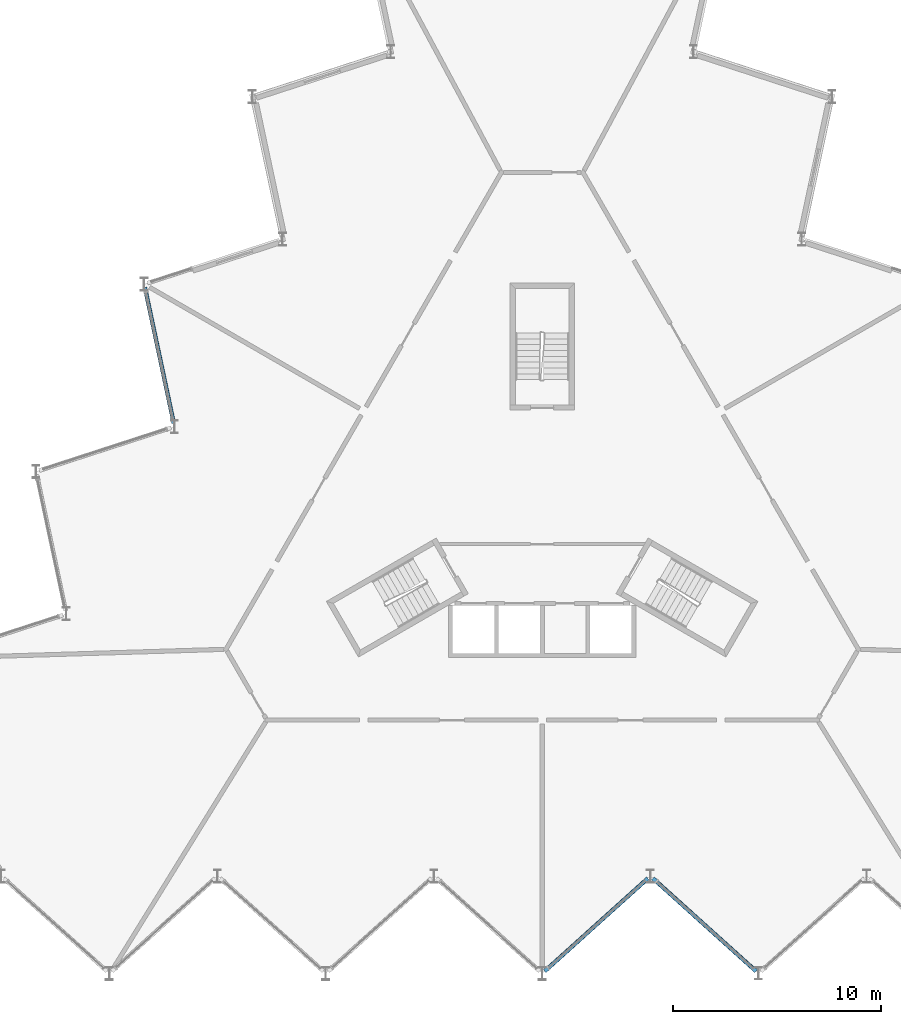
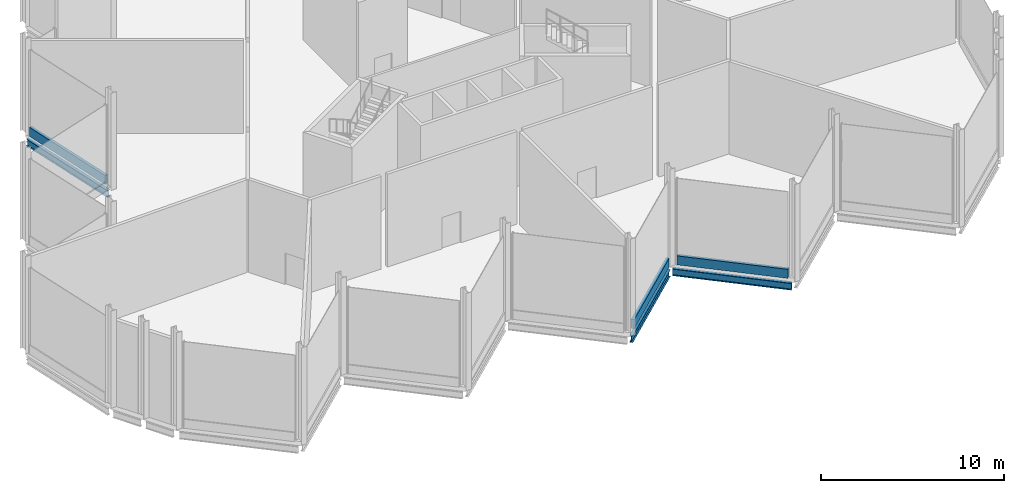
# One storey, part 5 of 12: 3 beams, 3 members, 3 elements without a shape of their own.
"""IFC4 building model written with IfcOpenShell, lengths in metres."""

from ifc_helpers import new_model, si_unit, direction, frame, origin, origin_2d, place, context, subcontext, project, spatial, rectangle, i_section, extrude, material, layer, layer_set, material_profile, profile_set, type_object, element, aggregate, save


model = new_model("IFC4")

# Units and contexts
model_context = context("Model", 3, precision=1e-05, world=origin(), true_north=direction((0.0, 1.0)))
body_context = subcontext(model_context, "Body", "Model", "MODEL_VIEW")
ifc_project = project(units=[si_unit("LENGTHUNIT", "METRE"), si_unit("AREAUNIT", "SQUARE_METRE"), si_unit("VOLUMEUNIT", "CUBIC_METRE"), si_unit("PLANEANGLEUNIT", "RADIAN"), si_unit("MASSUNIT", "GRAM", prefix="KILO")], contexts=[model_context])

# Site, building, storey
site_placement = place(None, origin())
site = spatial("IfcSite", under=ifc_project, at=site_placement, CompositionType="ELEMENT")
building_placement = place(site_placement, origin())
building = spatial("IfcBuilding", under=site, at=building_placement, Name="Cormorant Prow Tower", CompositionType="ELEMENT")
storey_placement = place(building_placement, frame((0.0, 0.0, 434.699951171875)))
storey = spatial("IfcBuildingStorey", under=building, at=storey_placement, Name="L97", CompositionType="ELEMENT", Elevation=434.699951171875)

# Beams
ifc_material_1 = material(Name="Structural steel ASTM A992 Gr 50", Category="steel")
ifc_material_profile_1 = material_profile(ifc_material_1, i_section(OverallWidth=0.19287109375, OverallDepth=0.466064453125, WebThickness=0.011474609375, FlangeThickness=0.01904296875, at=origin_2d()), Name="W18x65")
ifc_profile_set_1 = profile_set([ifc_material_profile_1], Name="Structural steel ASTM A992 Gr 50")
beam_type = type_object("IfcBeamType", Name="Crown ring beam W18x65", PredefinedType="SPANDREL", material=ifc_profile_set_1)
for number, where, z_axis, x_axis, name in (
    (1, (0.121337890625, -21.978515625, -0.532958984375), (0.743139440672, 0.669136586743, 0.0), (-0.669136586743, 0.743139440672, 0.0), "Crown ring beam SB5 S05-S06 L97"),
    (2, (5.3212890625, -17.514892578125, -0.532958984375), (0.743139440672, -0.669136586743, 0.0), (0.669136586743, 0.743139440672, 0.0), "Crown ring beam SB5 S06-S07 L97"),
):
    element("IfcBeam", number, at=place(storey_placement, frame(where, z_axis=z_axis, x_axis=x_axis)), inside=storey, type_object=beam_type, Name=name, PredefinedType="SPANDREL", context=body_context, shape_type="SweptSolid", body=[
        extrude(i_section(OverallWidth=0.19287109375, OverallDepth=0.466064453125, WebThickness=0.011474609375, FlangeThickness=0.01904296875, at=origin_2d()), origin(), (0.0, 0.0, 1.0), 6.670654296875),
    ])
beam_placement = place(storey_placement, frame((-19.0947265625, 10.88427734375, -0.532958984375), z_axis=(0.207911717999, -0.978147594956, 0.0), x_axis=(0.978147594956, 0.207911717999, 0.0)))
element("IfcBeam", 3, at=beam_placement, inside=storey, type_object=beam_type, Name="Crown ring beam SB5 WNW05-WNW06 L97", PredefinedType="SPANDREL", context=body_context, shape_type="SweptSolid", body=[
    extrude(i_section(OverallWidth=0.19287109375, OverallDepth=0.466064453125, WebThickness=0.011474609375, FlangeThickness=0.01904296875, at=origin_2d()), origin(), (0.0, 0.0, 1.0), 6.6708984375),
])

# Curtain wall, member
ifc_material_2 = material(Name="Aluminium 6063-T6", Category="aluminium")
ifc_layer = layer(ifc_material_2, 0.219970703125)
ifc_layer_set = layer_set([ifc_layer], Name="Aluminium 6063-T6")
curtain_wall_type = type_object("IfcCurtainWallType", Name="Crown unitised curtain wall 220", PredefinedType="NOTDEFINED", material=ifc_layer_set)
curtain_wall_1_placement = place(storey_placement, origin())
curtain_wall_1 = element("IfcCurtainWall", 4, at=curtain_wall_1_placement, inside=storey, type_object=curtain_wall_type, Name="Crown curtain wall crown S05", PredefinedType="NOTDEFINED")
ifc_material_3 = material(Name="Terracotta", Category="masonry")
ifc_material_profile_2 = material_profile(ifc_material_3, rectangle(XDim=0.179931640625, YDim=0.60009765625, at=origin_2d()), Name="Crown terracotta spandrel rail 180x600")
ifc_profile_set_2 = profile_set([ifc_material_profile_2], Name="Terracotta")
member_type = type_object("IfcMemberType", Name="Crown terracotta spandrel rail 180x600", PredefinedType="USERDEFINED", material=ifc_profile_set_2)
member_1_placement = place(storey_placement, frame((0.316650390625, -21.802734375, 0.300048828125), z_axis=(0.743141530577, 0.669134265699, 0.0), x_axis=(-0.669134265699, 0.743141530577, 0.0)))
member_1 = element("IfcMember", 5, at=member_1_placement, type_object=member_type, Name="Crown spandrel rail crown S05", ObjectType="TRANSOM", PredefinedType="USERDEFINED", context=body_context, shape_type="SweptSolid", body=[
    extrude(rectangle(XDim=0.179931640625, YDim=0.60009765625, at=origin_2d()), origin(), (0.0, 0.0, 1.0), 6.205078125),
])
aggregate(curtain_wall_1, [member_1])

curtain_wall_2_placement = place(storey_placement, origin())
curtain_wall_2 = element("IfcCurtainWall", 6, at=curtain_wall_2_placement, inside=storey, type_object=curtain_wall_type, Name="Crown curtain wall crown S06", PredefinedType="NOTDEFINED")
member_2_placement = place(storey_placement, frame((5.5166015625, -17.690673828125, 0.300048828125), z_axis=(0.743121966202, -0.669155993285, 0.0), x_axis=(0.669155993285, 0.743121966202, 0.0)))
member_2 = element("IfcMember", 7, at=member_2_placement, type_object=member_type, Name="Crown spandrel rail crown S06", ObjectType="TRANSOM", PredefinedType="USERDEFINED", context=body_context, shape_type="SweptSolid", body=[
    extrude(rectangle(XDim=0.179931640625, YDim=0.60009765625, at=origin_2d()), origin(), (0.0, 0.0, 1.0), 6.205322265625),
])
aggregate(curtain_wall_2, [member_2])

curtain_wall_3_placement = place(storey_placement, origin())
curtain_wall_3 = element("IfcCurtainWall", 8, at=curtain_wall_3_placement, inside=storey, type_object=curtain_wall_type, Name="Crown curtain wall crown WNW05", PredefinedType="NOTDEFINED")
member_3_placement = place(storey_placement, frame((-19.0400390625, 10.627197265625, 0.300048828125), z_axis=(0.207897812215, -0.978150550619, 0.0), x_axis=(0.978150550619, 0.207897812215, 0.0)))
member_3 = element("IfcMember", 9, at=member_3_placement, type_object=member_type, Name="Crown spandrel rail crown WNW05", ObjectType="TRANSOM", PredefinedType="USERDEFINED", context=body_context, shape_type="SweptSolid", body=[
    extrude(rectangle(XDim=0.179931640625, YDim=0.60009765625, at=origin_2d()), origin(), (0.0, 0.0, 1.0), 6.205078125),
])
aggregate(curtain_wall_3, [member_3])

save(model, "model.ifc")
